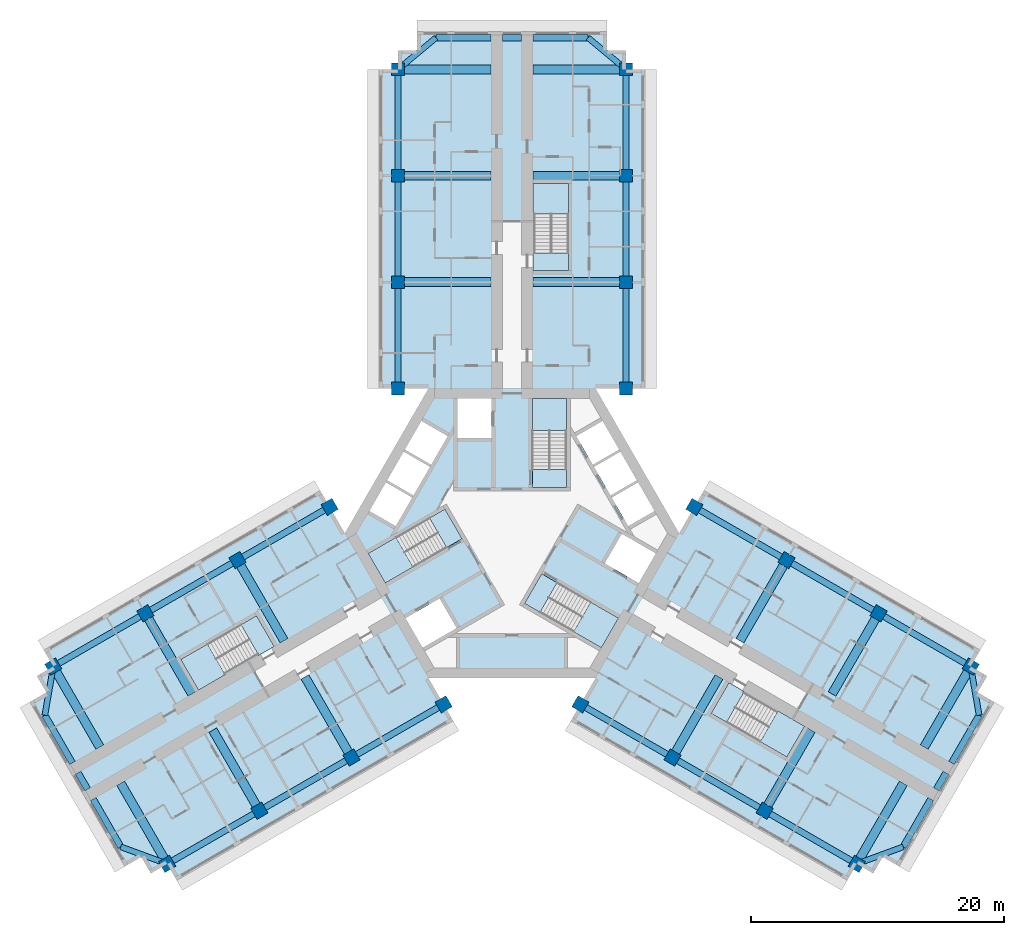
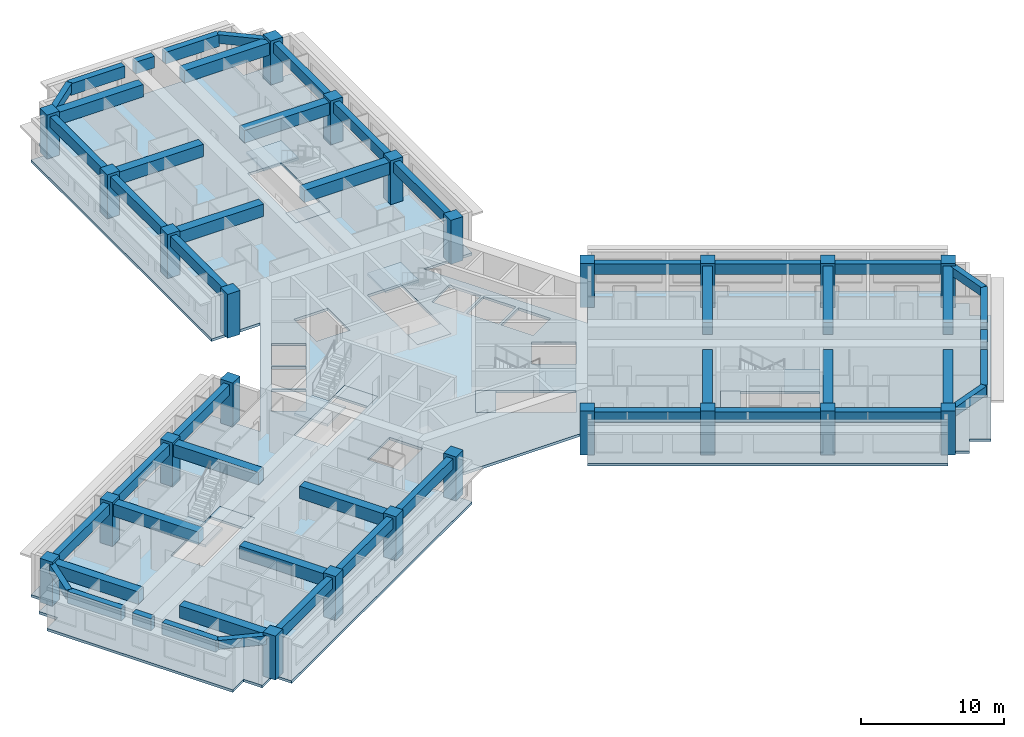
# One storey, part 1 of 12: 51 beams, 24 columns, 13 slabs, 6 elements without a shape of their own.
"""IFC4 building model written with IfcOpenShell, lengths in metres."""

from ifc_helpers import new_model, si_unit, direction, frame, origin, origin_2d, place, context, subcontext, project, spatial, polyline, rectangle, outline, extrude, material, layer, layer_set, material_profile, profile_set, type_object, element, aggregate, save


model = new_model("IFC4")

# Units and contexts
model_context = context("Model", 3, precision=1e-05, world=origin(), true_north=direction((0.0, 1.0)))
body_context = subcontext(model_context, "Body", "Model", "MODEL_VIEW")
ifc_project = project(units=[si_unit("LENGTHUNIT", "METRE"), si_unit("AREAUNIT", "SQUARE_METRE"), si_unit("VOLUMEUNIT", "CUBIC_METRE"), si_unit("PLANEANGLEUNIT", "RADIAN"), si_unit("MASSUNIT", "GRAM", prefix="KILO")], contexts=[model_context])

# Site, building, storey
site_placement = place(None, origin())
site = spatial("IfcSite", under=ifc_project, at=site_placement, CompositionType="ELEMENT")
building_placement = place(site_placement, origin())
building = spatial("IfcBuilding", under=site, at=building_placement, Name="Impinga Residences", CompositionType="ELEMENT")
storey_placement = place(building_placement, frame((0.0, 0.0, 166.0)))
storey = spatial("IfcBuildingStorey", under=building, at=storey_placement, Name="L41", CompositionType="ELEMENT", Elevation=166.0)

# Columns
ifc_material_1 = material(Name="Concrete C60/75", Category="concrete")
ifc_material_profile_1 = material_profile(ifc_material_1, rectangle(XDim=1.0, YDim=1.0, at=origin_2d()), Name="RC 1000x1000")
ifc_profile_set_1 = profile_set([ifc_material_profile_1], Name="Concrete C60/75")
column_type = type_object("IfcColumnType", Name="C3 1000x1000 column", PredefinedType="COLUMN", material=ifc_profile_set_1)
for number, where, z_axis, x_axis, name in (
    (1, (-9.0, 11.431640625, 0.0), (0.0, 0.0, 1.0), (1.0, 0.0, 0.0), "Column C3 N1/NA L41"),
    (2, (9.0, 11.431640625, 0.0), (0.0, 0.0, 1.0), (1.0, 0.0, 0.0), "Column C3 N1/NF L41"),
    (3, (-9.0, 19.83154296875, 0.0), (0.0, 0.0, 1.0), (1.0, 0.0, 0.0), "Column C3 N2/NA L41"),
    (4, (9.0, 19.83154296875, 0.0), (0.0, 0.0, 1.0), (1.0, 0.0, 0.0), "Column C3 N2/NF L41"),
    (5, (-9.0, 28.2314453125, 0.0), (0.0, 0.0, 1.0), (1.0, 0.0, 0.0), "Column C3 N3/NA L41"),
    (6, (9.0, 28.2314453125, 0.0), (0.0, 0.0, 1.0), (1.0, 0.0, 0.0), "Column C3 N3/NF L41"),
    (7, (-9.0, 36.631591796875, 0.0), (0.0, 0.0, 1.0), (1.0, 0.0, 0.0), "Column C3 N4/NA L41"),
    (8, (9.0, 36.631591796875, 0.0), (0.0, 0.0, 1.0), (1.0, 0.0, 0.0), "Column C3 N4/NF L41"),
    (9, (-5.39990234375, -13.510009765625, 0.0), (0.0, 0.0, 1.0), (-0.5, 0.866025403784, 0.0), "Column C3 W1/WA L41"),
    (10, (-14.39990234375, 2.078369140625, 0.0), (0.0, 0.0, 1.0), (-0.5, 0.866025403784, 0.0), "Column C3 W1/WF L41"),
    (11, (-12.674560546875, -17.7099609375, 0.0), (0.0, 0.0, 1.0), (-0.5, 0.866025403784, 0.0), "Column C3 W2/WA L41"),
    (12, (-21.674560546875, -2.12158203125, 0.0), (0.0, 0.0, 1.0), (-0.5, 0.866025403784, 0.0), "Column C3 W2/WF L41"),
    (13, (-19.94921875, -21.909912109375, 0.0), (0.0, 0.0, 1.0), (-0.5, 0.866025403784, 0.0), "Column C3 W3/WA L41"),
    (14, (-28.94921875, -6.321533203125, 0.0), (0.0, 0.0, 1.0), (-0.5, 0.866025403784, 0.0), "Column C3 W3/WF L41"),
    (15, (-27.223876953125, -26.110107421875, 0.0), (0.0, 0.0, 1.0), (-0.5, 0.866025403784, 0.0), "Column C3 W4/WA L41"),
    (16, (-36.223876953125, -10.521484375, 0.0), (0.0, 0.0, 1.0), (-0.5, 0.866025403784, 0.0), "Column C3 W4/WF L41"),
    (17, (14.39990234375, 2.078369140625, 0.0), (0.0, 0.0, 1.0), (-0.5, -0.866025403784, 0.0), "Column C3 E1/EA L41"),
    (18, (5.39990234375, -13.510009765625, 0.0), (0.0, 0.0, 1.0), (-0.5, -0.866025403784, 0.0), "Column C3 E1/EF L41"),
    (19, (21.674560546875, -2.12158203125, 0.0), (0.0, 0.0, 1.0), (-0.5, -0.866025403784, 0.0), "Column C3 E2/EA L41"),
    (20, (12.674560546875, -17.7099609375, 0.0), (0.0, 0.0, 1.0), (-0.5, -0.866025403784, 0.0), "Column C3 E2/EF L41"),
    (21, (28.94921875, -6.321533203125, 0.0), (0.0, 0.0, 1.0), (-0.5, -0.866025403784, 0.0), "Column C3 E3/EA L41"),
    (22, (19.94921875, -21.909912109375, 0.0), (0.0, 0.0, 1.0), (-0.5, -0.866025403784, 0.0), "Column C3 E3/EF L41"),
    (23, (36.223876953125, -10.521484375, 0.0), (0.0, 0.0, 1.0), (-0.5, -0.866025403784, 0.0), "Column C3 E4/EA L41"),
    (24, (27.223876953125, -26.110107421875, 0.0), (0.0, 0.0, 1.0), (-0.5, -0.866025403784, 0.0), "Column C3 E4/EF L41"),
):
    element("IfcColumn", number, at=place(storey_placement, frame(where, z_axis=z_axis, x_axis=x_axis)), inside=storey, type_object=column_type, Name=name, PredefinedType="COLUMN", context=body_context, shape_type="SweptSolid", body=[
        extrude(rectangle(XDim=1.0, YDim=1.0, at=origin_2d()), origin(), (0.0, 0.0, 1.0), 3.75),
    ])

# Beams
ifc_material_profile_2 = material_profile(ifc_material_1, rectangle(XDim=0.449951171875, YDim=0.75, at=origin_2d()), Name="RC 450x750")
ifc_profile_set_2 = profile_set([ifc_material_profile_2], Name="Concrete C60/75")
beam_type_1 = type_object("IfcBeamType", Name="CB1 450x750 wing end cantilever beam", PredefinedType="BEAM", material=ifc_profile_set_2)
for number, where, z_axis, x_axis, name in (
    (25, (-9.0, 36.631591796875, 3.155029296875), (0.768221279597, 0.640184399664, 0.0), (-0.640184399664, 0.768221279597, 0.0), "Beam CB1 NB N4-NX level L42"),
    (26, (9.0, 36.631591796875, 3.155029296875), (-0.768221279597, 0.640184399664, 0.0), (-0.640184399664, -0.768221279597, 0.0), "Beam CB1 NE N4-NX level L42"),
    (27, (-27.223876953125, -26.110107421875, 3.155029296875), (-0.938520178725, 0.345224382289, 0.0), (-0.345224382289, -0.938520178725, 0.0), "Beam CB1 WB W4-WX level L42"),
):
    element("IfcBeam", number, at=place(storey_placement, frame(where, z_axis=z_axis, x_axis=x_axis)), inside=storey, type_object=beam_type_1, Name=name, PredefinedType="BEAM", context=body_context, shape_type="SweptSolid", body=[
        extrude(rectangle(XDim=0.449951171875, YDim=0.75, at=origin_2d()), origin(), (0.0, 0.0, 1.0), 3.905029296875),
    ])
for number, where, z_axis, x_axis, name in (
    (28, (-36.223876953125, -10.521484375, 3.155029296875), (-0.170296298948, -0.985392901621, 0.0), (0.985392901621, -0.170296298948, 0.0), "Beam CB1 WE W4-WX level L42"),
    (29, (36.223876953125, -10.521484375, 3.155029296875), (0.170296298948, -0.985392901621, 0.0), (0.985392901621, 0.170296298948, 0.0), "Beam CB1 EB E4-EX level L42"),
):
    element("IfcBeam", number, at=place(storey_placement, frame(where, z_axis=z_axis, x_axis=x_axis)), inside=storey, type_object=beam_type_1, Name=name, PredefinedType="BEAM", context=body_context, shape_type="SweptSolid", body=[
        extrude(rectangle(XDim=0.449951171875, YDim=0.75, at=origin_2d()), origin(), (0.0, 0.0, 1.0), 3.9052734375),
    ])
beam_1_placement = place(storey_placement, frame((27.223876953125, -26.110107421875, 3.155029296875), z_axis=(0.938520178725, 0.345224382289, 0.0), x_axis=(-0.345224382289, 0.938520178725, 0.0)))
element("IfcBeam", 30, at=beam_1_placement, inside=storey, type_object=beam_type_1, Name="Beam CB1 EE E4-EX level L42", PredefinedType="BEAM", context=body_context, shape_type="SweptSolid", body=[
    extrude(rectangle(XDim=0.449951171875, YDim=0.75, at=origin_2d()), origin(), (0.0, 0.0, 1.0), 3.905029296875),
])
ifc_material_profile_3 = material_profile(ifc_material_1, rectangle(XDim=0.699951171875, YDim=1.050048828125, at=origin_2d()), Name="RC 700x1050")
ifc_profile_set_3 = profile_set([ifc_material_profile_3], Name="Concrete C60/75")
beam_type_2 = type_object("IfcBeamType", Name="CG1 700x1050 cross girder on a wing bay line", PredefinedType="BEAM", material=ifc_profile_set_3)
for number, where, z_axis, x_axis, name in (
    (31, (-1.64990234375, 19.83154296875, 3.0048828125), (-1.0, 0.0, 0.0), (0.0, -1.0, 0.0), "Beam CG1 N2 NC/NA level L42"),
    (32, (-1.64990234375, 28.2314453125, 3.0048828125), (-1.0, 0.0, 0.0), (0.0, -1.0, 0.0), "Beam CG1 N3 NC/NA level L42"),
    (33, (-1.64990234375, 36.631591796875, 3.0048828125), (-1.0, 0.0, 0.0), (0.0, -1.0, 0.0), "Beam CG1 N4 NC/NA level L42"),
    (34, (1.64990234375, 19.83154296875, 3.0048828125), (1.0, 0.0, 0.0), (0.0, 1.0, 0.0), "Beam CG1 N2 NC/NF level L42"),
    (35, (1.64990234375, 28.2314453125, 3.0048828125), (1.0, 0.0, 0.0), (0.0, 1.0, 0.0), "Beam CG1 N3 NC/NF level L42"),
    (36, (1.64990234375, 36.631591796875, 3.0048828125), (1.0, 0.0, 0.0), (0.0, 1.0, 0.0), "Beam CG1 N4 NC/NF level L42"),
    (37, (-16.349609375, -11.3447265625, 3.0048828125), (0.500008066151, -0.86602074674, 0.0), (0.86602074674, 0.500008066151, 0.0), "Beam CG1 W2 WC/WA level L42"),
    (38, (-23.624267578125, -15.544677734375, 3.0048828125), (0.500008066151, -0.86602074674, 0.0), (0.86602074674, 0.500008066151, 0.0), "Beam CG1 W3 WC/WA level L42"),
    (39, (-30.89892578125, -19.74462890625, 3.0048828125), (0.499993683172, -0.866029050776, 0.0), (0.866029050776, 0.499993683172, 0.0), "Beam CG1 W4 WC/WA level L42"),
    (40, (-17.99951171875, -8.48681640625, 3.0048828125), (-0.500008066151, 0.86602074674, 0.0), (-0.86602074674, -0.500008066151, 0.0), "Beam CG1 W2 WC/WF level L42"),
    (41, (-25.274169921875, -12.686767578125, 3.0048828125), (-0.500008066151, 0.86602074674, 0.0), (-0.86602074674, -0.500008066151, 0.0), "Beam CG1 W3 WC/WF level L42"),
    (42, (-32.548828125, -16.88671875, 3.0048828125), (-0.500008066151, 0.86602074674, 0.0), (-0.86602074674, -0.500008066151, 0.0), "Beam CG1 W4 WC/WF level L42"),
    (43, (17.99951171875, -8.48681640625, 3.0048828125), (0.500008066151, 0.86602074674, 0.0), (-0.86602074674, 0.500008066151, 0.0), "Beam CG1 E2 EC/EA level L42"),
    (44, (25.274169921875, -12.686767578125, 3.0048828125), (0.500008066151, 0.86602074674, 0.0), (-0.86602074674, 0.500008066151, 0.0), "Beam CG1 E3 EC/EA level L42"),
    (45, (32.548828125, -16.88671875, 3.0048828125), (0.500008066151, 0.86602074674, 0.0), (-0.86602074674, 0.500008066151, 0.0), "Beam CG1 E4 EC/EA level L42"),
    (46, (16.349609375, -11.3447265625, 3.0048828125), (-0.500008066151, -0.86602074674, 0.0), (0.86602074674, -0.500008066151, 0.0), "Beam CG1 E2 EC/EF level L42"),
    (47, (23.624267578125, -15.544677734375, 3.0048828125), (-0.500008066151, -0.86602074674, 0.0), (0.86602074674, -0.500008066151, 0.0), "Beam CG1 E3 EC/EF level L42"),
    (48, (30.89892578125, -19.74462890625, 3.0048828125), (-0.499993683172, -0.866029050776, 0.0), (0.866029050776, -0.499993683172, 0.0), "Beam CG1 E4 EC/EF level L42"),
):
    element("IfcBeam", number, at=place(storey_placement, frame(where, z_axis=z_axis, x_axis=x_axis)), inside=storey, type_object=beam_type_2, Name=name, PredefinedType="BEAM", context=body_context, shape_type="SweptSolid", body=[
        extrude(rectangle(XDim=0.699951171875, YDim=1.050048828125, at=origin_2d()), origin(), (0.0, 0.0, 1.0), 7.35009765625),
    ])
ifc_material_profile_4 = material_profile(ifc_material_1, rectangle(XDim=0.5, YDim=1.0, at=origin_2d()), Name="RC 500x1000")
ifc_profile_set_4 = profile_set([ifc_material_profile_4], Name="Concrete C60/75")
beam_type_3 = type_object("IfcBeamType", Name="EB1 500x1000 wing end beam", PredefinedType="BEAM", material=ifc_profile_set_4)
beam_2_placement = place(storey_placement, frame((-6.0, 39.131591796875, 3.030029296875), z_axis=(1.0, 0.0, 0.0), x_axis=(0.0, 1.0, 0.0)))
element("IfcBeam", 49, at=beam_2_placement, inside=storey, type_object=beam_type_3, Name="Beam EB1 NX3 level L42", PredefinedType="BEAM", context=body_context, shape_type="SweptSolid", body=[
    extrude(rectangle(XDim=0.5, YDim=1.0, at=origin_2d()), origin(), (0.0, 0.0, 1.0), 4.35009765625),
])
beam_3_placement = place(storey_placement, frame((-0.75, 39.131591796875, 3.030029296875), z_axis=(1.0, 0.0, 0.0), x_axis=(0.0, 1.0, 0.0)))
element("IfcBeam", 50, at=beam_3_placement, inside=storey, type_object=beam_type_3, Name="Beam EB1 NX3 level L42", PredefinedType="BEAM", context=body_context, shape_type="SweptSolid", body=[
    extrude(rectangle(XDim=0.5, YDim=1.0, at=origin_2d()), origin(), (0.0, 0.0, 1.0), 1.5),
])
for number, where, z_axis, x_axis, name in (
    (51, (1.64990234375, 39.131591796875, 3.030029296875), (1.0, 0.0, 0.0), (0.0, 1.0, 0.0), "Beam EB1 NX3 level L42"),
    (52, (-30.888916015625, -24.761962890625, 3.030029296875), (-0.499996127374, 0.866027639635, 0.0), (-0.866027639635, -0.499996127374, 0.0), "Beam EB1 WX3 level L42"),
):
    element("IfcBeam", number, at=place(storey_placement, frame(where, z_axis=z_axis, x_axis=x_axis)), inside=storey, type_object=beam_type_3, Name=name, PredefinedType="BEAM", context=body_context, shape_type="SweptSolid", body=[
        extrude(rectangle(XDim=0.5, YDim=1.0, at=origin_2d()), origin(), (0.0, 0.0, 1.0), 4.35009765625),
    ])
beam_4_placement = place(storey_placement, frame((-33.513916015625, -20.21533203125, 3.030029296875), z_axis=(-0.499990139034, 0.866031096941, 0.0), x_axis=(-0.866031096941, -0.499990139034, 0.0)))
element("IfcBeam", 53, at=beam_4_placement, inside=storey, type_object=beam_type_3, Name="Beam EB1 WX3 level L42", PredefinedType="BEAM", context=body_context, shape_type="SweptSolid", body=[
    extrude(rectangle(XDim=0.5, YDim=1.0, at=origin_2d()), origin(), (0.0, 0.0, 1.0), 1.5),
])
for number, where, z_axis, x_axis, name in (
    (54, (-34.7138671875, -18.13671875, 3.030029296875), (-0.500020430026, 0.866013608182, 0.0), (-0.866013608182, -0.500020430026, 0.0), "Beam EB1 WX3 level L42"),
    (55, (36.888916015625, -14.36962890625, 3.030029296875), (-0.500020430026, -0.866013608182, 0.0), (0.866013608182, -0.500020430026, 0.0), "Beam EB1 EX3 level L42"),
):
    element("IfcBeam", number, at=place(storey_placement, frame(where, z_axis=z_axis, x_axis=x_axis)), inside=storey, type_object=beam_type_3, Name=name, PredefinedType="BEAM", context=body_context, shape_type="SweptSolid", body=[
        extrude(rectangle(XDim=0.5, YDim=1.0, at=origin_2d()), origin(), (0.0, 0.0, 1.0), 4.349853515625),
    ])
beam_5_placement = place(storey_placement, frame((34.263916015625, -18.916259765625, 3.030029296875), z_axis=(-0.499990139034, -0.866031096941, 0.0), x_axis=(0.866031096941, -0.499990139034, 0.0)))
element("IfcBeam", 56, at=beam_5_placement, inside=storey, type_object=beam_type_3, Name="Beam EB1 EX3 level L42", PredefinedType="BEAM", context=body_context, shape_type="SweptSolid", body=[
    extrude(rectangle(XDim=0.5, YDim=1.0, at=origin_2d()), origin(), (0.0, 0.0, 1.0), 1.5),
])
beam_6_placement = place(storey_placement, frame((33.06396484375, -20.99462890625, 3.030029296875), z_axis=(-0.499996127374, -0.866027639635, 0.0), x_axis=(0.866027639635, -0.499996127374, 0.0)))
element("IfcBeam", 57, at=beam_6_placement, inside=storey, type_object=beam_type_3, Name="Beam EB1 EX3 level L42", PredefinedType="BEAM", context=body_context, shape_type="SweptSolid", body=[
    extrude(rectangle(XDim=0.5, YDim=1.0, at=origin_2d()), origin(), (0.0, 0.0, 1.0), 4.35009765625),
])
ifc_material_profile_5 = material_profile(ifc_material_1, rectangle(XDim=0.5, YDim=0.89990234375, at=origin_2d()), Name="RC 500x900")
ifc_profile_set_5 = profile_set([ifc_material_profile_5], Name="Concrete C60/75")
beam_type_4 = type_object("IfcBeamType", Name="SB1 500x900 perimeter spandrel beam", PredefinedType="SPANDREL", material=ifc_profile_set_5)
for number, where, z_axis, x_axis, name in (
    (58, (-9.0, 11.431640625, 3.080078125), (0.0, 1.0, 0.0), (-1.0, 0.0, 0.0), "Beam SB1 NA N1-N2 level L42"),
    (59, (-9.0, 19.83154296875, 3.080078125), (0.0, 1.0, 0.0), (-1.0, 0.0, 0.0), "Beam SB1 NA N2-N3 level L42"),
):
    element("IfcBeam", number, at=place(storey_placement, frame(where, z_axis=z_axis, x_axis=x_axis)), inside=storey, type_object=beam_type_4, Name=name, PredefinedType="SPANDREL", context=body_context, shape_type="SweptSolid", body=[
        extrude(rectangle(XDim=0.5, YDim=0.89990234375, at=origin_2d()), origin(), (0.0, 0.0, 1.0), 8.39990234375),
    ])
beam_7_placement = place(storey_placement, frame((-9.0, 28.2314453125, 3.080078125), z_axis=(0.0, 1.0, 0.0), x_axis=(-1.0, 0.0, 0.0)))
element("IfcBeam", 60, at=beam_7_placement, inside=storey, type_object=beam_type_4, Name="Beam SB1 NA N3-N4 level L42", PredefinedType="SPANDREL", context=body_context, shape_type="SweptSolid", body=[
    extrude(rectangle(XDim=0.5, YDim=0.89990234375, at=origin_2d()), origin(), (0.0, 0.0, 1.0), 8.400146484375),
])
for number, where, z_axis, x_axis, name in (
    (61, (9.0, 11.431640625, 3.080078125), (0.0, 1.0, 0.0), (-1.0, 0.0, 0.0), "Beam SB1 NF N1-N2 level L42"),
    (62, (9.0, 19.83154296875, 3.080078125), (0.0, 1.0, 0.0), (-1.0, 0.0, 0.0), "Beam SB1 NF N2-N3 level L42"),
):
    element("IfcBeam", number, at=place(storey_placement, frame(where, z_axis=z_axis, x_axis=x_axis)), inside=storey, type_object=beam_type_4, Name=name, PredefinedType="SPANDREL", context=body_context, shape_type="SweptSolid", body=[
        extrude(rectangle(XDim=0.5, YDim=0.89990234375, at=origin_2d()), origin(), (0.0, 0.0, 1.0), 8.39990234375),
    ])
beam_8_placement = place(storey_placement, frame((9.0, 28.2314453125, 3.080078125), z_axis=(0.0, 1.0, 0.0), x_axis=(-1.0, 0.0, 0.0)))
element("IfcBeam", 63, at=beam_8_placement, inside=storey, type_object=beam_type_4, Name="Beam SB1 NF N3-N4 level L42", PredefinedType="SPANDREL", context=body_context, shape_type="SweptSolid", body=[
    extrude(rectangle(XDim=0.5, YDim=0.89990234375, at=origin_2d()), origin(), (0.0, 0.0, 1.0), 8.400146484375),
])
for number, where, z_axis, x_axis, name in (
    (64, (-5.39990234375, -13.510009765625, 3.080078125), (-0.86602925447, -0.499993330357, 0.0), (0.499993330357, -0.86602925447, 0.0), "Beam SB1 WA W1-W2 level L42"),
    (65, (-12.674560546875, -17.7099609375, 3.080078125), (-0.86602925447, -0.499993330357, 0.0), (0.499993330357, -0.86602925447, 0.0), "Beam SB1 WA W2-W3 level L42"),
):
    element("IfcBeam", number, at=place(storey_placement, frame(where, z_axis=z_axis, x_axis=x_axis)), inside=storey, type_object=beam_type_4, Name=name, PredefinedType="SPANDREL", context=body_context, shape_type="SweptSolid", body=[
        extrude(rectangle(XDim=0.5, YDim=0.89990234375, at=origin_2d()), origin(), (0.0, 0.0, 1.0), 8.39990234375),
    ])
beam_9_placement = place(storey_placement, frame((-19.94921875, -21.909912109375, 3.080078125), z_axis=(-0.866016669275, -0.500015128309, 0.0), x_axis=(0.500015128309, -0.866016669275, 0.0)))
element("IfcBeam", 66, at=beam_9_placement, inside=storey, type_object=beam_type_4, Name="Beam SB1 WA W3-W4 level L42", PredefinedType="SPANDREL", context=body_context, shape_type="SweptSolid", body=[
    extrude(rectangle(XDim=0.5, YDim=0.89990234375, at=origin_2d()), origin(), (0.0, 0.0, 1.0), 8.400146484375),
])
for number, where, z_axis, x_axis, name in (
    (67, (-14.39990234375, 2.078369140625, 3.080078125), (-0.86602925447, -0.499993330357, 0.0), (0.499993330357, -0.86602925447, 0.0), "Beam SB1 WF W1-W2 level L42"),
    (68, (-21.674560546875, -2.12158203125, 3.080078125), (-0.86602925447, -0.499993330357, 0.0), (0.499993330357, -0.86602925447, 0.0), "Beam SB1 WF W2-W3 level L42"),
    (69, (-28.94921875, -6.321533203125, 3.080078125), (-0.86602925447, -0.499993330357, 0.0), (0.499993330357, -0.86602925447, 0.0), "Beam SB1 WF W3-W4 level L42"),
    (70, (14.39990234375, 2.078369140625, 3.080078125), (0.86602925447, -0.499993330357, 0.0), (0.499993330357, 0.86602925447, 0.0), "Beam SB1 EA E1-E2 level L42"),
    (71, (21.674560546875, -2.12158203125, 3.080078125), (0.86602925447, -0.499993330357, 0.0), (0.499993330357, 0.86602925447, 0.0), "Beam SB1 EA E2-E3 level L42"),
    (72, (28.94921875, -6.321533203125, 3.080078125), (0.86602925447, -0.499993330357, 0.0), (0.499993330357, 0.86602925447, 0.0), "Beam SB1 EA E3-E4 level L42"),
    (73, (5.39990234375, -13.510009765625, 3.080078125), (0.86602925447, -0.499993330357, 0.0), (0.499993330357, 0.86602925447, 0.0), "Beam SB1 EF E1-E2 level L42"),
    (74, (12.674560546875, -17.7099609375, 3.080078125), (0.86602925447, -0.499993330357, 0.0), (0.499993330357, 0.86602925447, 0.0), "Beam SB1 EF E2-E3 level L42"),
):
    element("IfcBeam", number, at=place(storey_placement, frame(where, z_axis=z_axis, x_axis=x_axis)), inside=storey, type_object=beam_type_4, Name=name, PredefinedType="SPANDREL", context=body_context, shape_type="SweptSolid", body=[
        extrude(rectangle(XDim=0.5, YDim=0.89990234375, at=origin_2d()), origin(), (0.0, 0.0, 1.0), 8.39990234375),
    ])
beam_10_placement = place(storey_placement, frame((19.94921875, -21.909912109375, 3.080078125), z_axis=(0.866016669275, -0.500015128309, 0.0), x_axis=(0.500015128309, 0.866016669275, 0.0)))
element("IfcBeam", 75, at=beam_10_placement, inside=storey, type_object=beam_type_4, Name="Beam SB1 EF E3-E4 level L42", PredefinedType="SPANDREL", context=body_context, shape_type="SweptSolid", body=[
    extrude(rectangle(XDim=0.5, YDim=0.89990234375, at=origin_2d()), origin(), (0.0, 0.0, 1.0), 8.400146484375),
])

# Slab
ifc_layer_1 = layer(ifc_material_1, 0.219970703125)
ifc_layer_set_1 = layer_set([ifc_layer_1], Name="Concrete C60/75")
slab_type_1 = type_object("IfcSlabType", Name="FS1 tower floor slab 220", PredefinedType="FLOOR", material=ifc_layer_set_1)
slab_1_placement = place(storey_placement, frame((0.0, 0.0, -0.219970703125)))
element("IfcSlab", 76, at=slab_1_placement, inside=storey, type_object=slab_type_1, Name="Floor slab FS1 L41", PredefinedType="FLOOR", context=body_context, shape_type="SweptSolid", body=[
    extrude(outline(polyline([(-27.223876953125, -26.110107421875), (-28.52294921875, -26.860107421875), (-29.27294921875, -25.56103515625), (-30.572021484375, -26.31103515625), (-38.072021484375, -13.320556640625), (-36.77294921875, -12.570556640625), (-37.52294921875, -11.271484375), (-36.223876953125, -10.521484375), (-36.973876953125, -9.222412109375), (-15.14990234375, 3.37744140625), (-13.199951171875, 0.0), (-6.60009765625, 11.431640625), (-10.5, 11.431640625), (-10.5, 36.631591796875), (-9.0, 36.631591796875), (-9.0, 38.131591796875), (-7.5, 38.131591796875), (-7.5, 39.631591796875), (7.5, 39.631591796875), (7.5, 38.131591796875), (9.0, 38.131591796875), (9.0, 36.631591796875), (10.5, 36.631591796875), (10.5, 11.431640625), (6.60009765625, 11.431640625), (13.199951171875, 0.0), (15.14990234375, 3.37744140625), (36.973876953125, -9.222412109375), (36.223876953125, -10.521484375), (37.52294921875, -11.271484375), (36.77294921875, -12.570556640625), (38.072021484375, -13.320556640625), (30.572021484375, -26.31103515625), (29.27294921875, -25.56103515625), (28.52294921875, -26.860107421875), (27.223876953125, -26.110107421875), (26.473876953125, -27.408935546875), (4.64990234375, -14.80908203125), (9.900146484375, -5.7158203125), (6.60009765625, -11.431640625), (-6.60009765625, -11.431640625), (-9.900146484375, -5.7158203125), (-4.64990234375, -14.80908203125), (-26.473876953125, -27.408935546875), (-27.223876953125, -26.110107421875)]), holes=[polyline([(-18.779052734375, -8.936767578125), (-18.8291015625, -8.850341796875), (-18.8291015625, -8.850341796875), (-20.178955078125, -6.511962890625), (-21.391357421875, -7.2119140625), (-21.391357421875, -7.2119140625), (-26.154541015625, -9.9619140625), (-24.8046875, -12.30029296875), (-20.04150390625, -9.55029296875), (-19.991455078125, -9.63671875), (-18.779052734375, -8.936767578125)]), polyline([(-4.37109375, -7.489013671875), (-5.72119140625, -5.150634765625), (-8.4072265625, -6.701416015625), (-7.05712890625, -9.039794921875), (-4.37109375, -7.489013671875)]), polyline([(-3.943603515625, -0.429443359375), (-5.293701171875, 1.908935546875), (-11.357177734375, -1.591796875), (-10.007080078125, -3.93017578125), (-3.943603515625, -0.429443359375)]), polyline([(-7.878662109375, 2.816650390625), (-9.957275390625, 4.016845703125), (-11.257080078125, 1.76513671875), (-9.1787109375, 0.56494140625), (-7.878662109375, 2.816650390625)]), polyline([(-6.478759765625, 5.24169921875), (-8.55712890625, 6.441650390625), (-9.857177734375, 4.18994140625), (-7.77880859375, 2.989990234375), (-6.478759765625, 5.24169921875)]), polyline([(4.300048828125, 3.6298828125), (4.300048828125, 10.631591796875), (1.60009765625, 10.631591796875), (1.60009765625, 3.6298828125), (4.300048828125, 3.6298828125)]), polyline([(-6.378662109375, 5.414794921875), (-5.07861328125, 7.66650390625), (-7.1572265625, 8.866455078125), (-8.457275390625, 6.61474609375), (-6.378662109375, 5.414794921875)]), polyline([(-4.300048828125, 7.530029296875), (-1.60009765625, 7.530029296875), (-1.60009765625, 10.631591796875), (-4.300048828125, 10.631591796875), (-4.300048828125, 7.530029296875)]), polyline([(4.449951171875, 20.7314453125), (4.449951171875, 22.131591796875), (4.449951171875, 27.631591796875), (1.75, 27.631591796875), (1.75, 22.131591796875), (1.64990234375, 22.131591796875), (1.64990234375, 20.7314453125), (1.75, 20.7314453125), (4.449951171875, 20.7314453125)]), polyline([(15.72900390625, -14.219482421875), (21.70458984375, -17.669677734375), (23.0546875, -15.331298828125), (18.29150390625, -12.581298828125), (18.341552734375, -12.49462890625), (17.129150390625, -11.794677734375), (15.72900390625, -14.219482421875)]), polyline([(2.34375, -3.20068359375), (0.99365234375, -5.538818359375), (7.05712890625, -9.039794921875), (8.4072265625, -6.701416015625), (2.34375, -3.20068359375)]), polyline([(7.3212890625, -2.37939453125), (10.007080078125, -3.93017578125), (11.357177734375, -1.591796875), (8.671142578125, -0.041015625), (7.3212890625, -2.37939453125)]), polyline([(7.878662109375, 2.816650390625), (9.1787109375, 0.56494140625), (11.257080078125, 1.76513671875), (9.957275390625, 4.016845703125), (7.878662109375, 2.816650390625)]), polyline([(6.478759765625, 5.24169921875), (7.77880859375, 2.989990234375), (9.857177734375, 4.18994140625), (8.55712890625, 6.441650390625), (6.478759765625, 5.24169921875)]), polyline([(6.378662109375, 5.414794921875), (8.457275390625, 6.61474609375), (7.1572265625, 8.866455078125), (5.07861328125, 7.66650390625), (6.378662109375, 5.414794921875)])]), origin(), (0.0, 0.0, 1.0), 0.219970703125),
])

# Stair, slabs
ifc_material_2 = material(Name="Concrete C40/50", Category="concrete")
stair_type_1 = type_object("IfcStairType", Name="STR core stair 3750 storey, 24 risers", PredefinedType="HALF_TURN_STAIR", material=ifc_material_2)
stair_1_placement = place(storey_placement, origin())
stair_1 = element("IfcStair", 77, at=stair_1_placement, inside=storey, type_object=stair_type_1, Name="Stair ST1 L41", PredefinedType="HALF_TURN_STAIR")
ifc_layer_2 = layer(ifc_material_2, 0.199951171875)
ifc_layer_set_2 = layer_set([ifc_layer_2], Name="Concrete C40/50")
slab_type_2 = type_object("IfcSlabType", Name="LS1 stair landing 200", PredefinedType="LANDING", material=ifc_layer_set_2)
slab_2_placement = place(storey_placement, frame((0.0, 0.0, -0.199951171875)))
slab_2 = element("IfcSlab", 78, at=slab_2_placement, type_object=slab_type_2, Name="ST1 landing 1", PredefinedType="LANDING", context=body_context, shape_type="SweptSolid", body=[
    extrude(outline(polyline([(1.60009765625, 3.6298828125), (4.300048828125, 3.6298828125), (4.300048828125, 5.0400390625), (1.60009765625, 5.0400390625), (1.60009765625, 3.6298828125)])), origin(), (0.0, 0.0, 1.0), 0.199951171875),
])
slab_3_placement = place(storey_placement, frame((0.0, 0.0, 1.675048828125)))
slab_3 = element("IfcSlab", 79, at=slab_3_placement, type_object=slab_type_2, Name="ST1 landing 2", PredefinedType="LANDING", context=body_context, shape_type="SweptSolid", body=[
    extrude(outline(polyline([(1.60009765625, 8.10009765625), (4.300048828125, 8.10009765625), (4.300048828125, 10.631591796875), (1.60009765625, 10.631591796875), (1.60009765625, 8.10009765625)])), origin(), (0.0, 0.0, 1.0), 0.199951171875),
])
aggregate(stair_1, [slab_2, slab_3])

stair_2_placement = place(storey_placement, origin())
stair_2 = element("IfcStair", 80, at=stair_2_placement, inside=storey, type_object=stair_type_1, Name="Stair ST2 L41", PredefinedType="HALF_TURN_STAIR")
slab_4_placement = place(storey_placement, frame((0.0, 0.0, -0.199951171875)))
slab_4 = element("IfcSlab", 81, at=slab_4_placement, type_object=slab_type_2, Name="ST2 landing 1", PredefinedType="LANDING", context=body_context, shape_type="SweptSolid", body=[
    extrude(outline(polyline([(-3.943603515625, -0.429443359375), (-5.293701171875, 1.908935546875), (-6.5146484375, 1.203857421875), (-5.164794921875, -1.13427734375), (-3.943603515625, -0.429443359375)])), origin(), (0.0, 0.0, 1.0), 0.199951171875),
])
slab_5_placement = place(storey_placement, frame((0.0, 0.0, 1.675048828125)))
slab_5 = element("IfcSlab", 82, at=slab_5_placement, type_object=slab_type_2, Name="ST2 landing 2", PredefinedType="LANDING", context=body_context, shape_type="SweptSolid", body=[
    extrude(outline(polyline([(-7.814697265625, -2.664306640625), (-9.164794921875, -0.326171875), (-11.357177734375, -1.591796875), (-10.007080078125, -3.93017578125), (-7.814697265625, -2.664306640625)])), origin(), (0.0, 0.0, 1.0), 0.199951171875),
])
aggregate(stair_2, [slab_4, slab_5])

stair_3_placement = place(storey_placement, origin())
stair_3 = element("IfcStair", 83, at=stair_3_placement, inside=storey, type_object=stair_type_1, Name="Stair ST3 L41", PredefinedType="HALF_TURN_STAIR")
slab_6_placement = place(storey_placement, frame((0.0, 0.0, -0.199951171875)))
slab_6 = element("IfcSlab", 84, at=slab_6_placement, type_object=slab_type_2, Name="ST3 landing 1", PredefinedType="LANDING", context=body_context, shape_type="SweptSolid", body=[
    extrude(outline(polyline([(2.34375, -3.20068359375), (0.99365234375, -5.538818359375), (2.21484375, -6.243896484375), (3.564697265625, -3.90576171875), (2.34375, -3.20068359375)])), origin(), (0.0, 0.0, 1.0), 0.199951171875),
])
slab_7_placement = place(storey_placement, frame((0.0, 0.0, 1.675048828125)))
slab_7 = element("IfcSlab", 85, at=slab_7_placement, type_object=slab_type_2, Name="ST3 landing 2", PredefinedType="LANDING", context=body_context, shape_type="SweptSolid", body=[
    extrude(outline(polyline([(6.21484375, -5.435546875), (4.86474609375, -7.77392578125), (7.05712890625, -9.039794921875), (8.4072265625, -6.701416015625), (6.21484375, -5.435546875)])), origin(), (0.0, 0.0, 1.0), 0.199951171875),
])
aggregate(stair_3, [slab_6, slab_7])

stair_type_2 = type_object("IfcStairType", Name="STR wing stair 3750 storey, 24 risers", PredefinedType="HALF_TURN_STAIR", material=ifc_material_2)
stair_4_placement = place(storey_placement, origin())
stair_4 = element("IfcStair", 86, at=stair_4_placement, inside=storey, type_object=stair_type_2, Name="Stair WS1 L41", PredefinedType="HALF_TURN_STAIR")
slab_8_placement = place(storey_placement, frame((0.0, 0.0, -0.199951171875)))
slab_8 = element("IfcSlab", 87, at=slab_8_placement, type_object=slab_type_2, Name="WS1 landing 1", PredefinedType="LANDING", context=body_context, shape_type="SweptSolid", body=[
    extrude(outline(polyline([(1.64990234375, 20.7314453125), (4.449951171875, 20.7314453125), (4.449951171875, 22.1416015625), (1.64990234375, 22.1416015625), (1.64990234375, 20.7314453125)])), origin(), (0.0, 0.0, 1.0), 0.199951171875),
])
slab_9_placement = place(storey_placement, frame((0.0, 0.0, 1.675048828125)))
slab_9 = element("IfcSlab", 88, at=slab_9_placement, type_object=slab_type_2, Name="WS1 landing 2", PredefinedType="LANDING", context=body_context, shape_type="SweptSolid", body=[
    extrude(outline(polyline([(1.64990234375, 25.201416015625), (4.449951171875, 25.201416015625), (4.449951171875, 27.631591796875), (1.64990234375, 27.631591796875), (1.64990234375, 25.201416015625)])), origin(), (0.0, 0.0, 1.0), 0.199951171875),
])
aggregate(stair_4, [slab_8, slab_9])

stair_5_placement = place(storey_placement, origin())
stair_5 = element("IfcStair", 89, at=stair_5_placement, inside=storey, type_object=stair_type_2, Name="Stair WS2 L41", PredefinedType="HALF_TURN_STAIR")
slab_10_placement = place(storey_placement, frame((0.0, 0.0, -0.199951171875)))
slab_10 = element("IfcSlab", 90, at=slab_10_placement, type_object=slab_type_2, Name="WS2 landing 1", PredefinedType="LANDING", context=body_context, shape_type="SweptSolid", body=[
    extrude(outline(polyline([(-18.779052734375, -8.936767578125), (-20.178955078125, -6.511962890625), (-21.400146484375, -7.217041015625), (-20.000244140625, -9.641845703125), (-18.779052734375, -8.936767578125)])), origin(), (0.0, 0.0, 1.0), 0.199951171875),
])
slab_11_placement = place(storey_placement, frame((0.0, 0.0, 1.675048828125)))
slab_11 = element("IfcSlab", 91, at=slab_11_placement, type_object=slab_type_2, Name="WS2 landing 2", PredefinedType="LANDING", context=body_context, shape_type="SweptSolid", body=[
    extrude(outline(polyline([(-22.650146484375, -11.171875), (-24.050048828125, -8.7470703125), (-26.154541015625, -9.9619140625), (-24.754638671875, -12.38671875), (-22.650146484375, -11.171875)])), origin(), (0.0, 0.0, 1.0), 0.199951171875),
])
aggregate(stair_5, [slab_10, slab_11])

stair_6_placement = place(storey_placement, origin())
stair_6 = element("IfcStair", 92, at=stair_6_placement, inside=storey, type_object=stair_type_2, Name="Stair WS3 L41", PredefinedType="HALF_TURN_STAIR")
slab_12_placement = place(storey_placement, frame((0.0, 0.0, -0.199951171875)))
slab_12 = element("IfcSlab", 93, at=slab_12_placement, type_object=slab_type_2, Name="WS3 landing 1", PredefinedType="LANDING", context=body_context, shape_type="SweptSolid", body=[
    extrude(outline(polyline([(17.129150390625, -11.794677734375), (15.72900390625, -14.219482421875), (16.9501953125, -14.924560546875), (18.35009765625, -12.499755859375), (17.129150390625, -11.794677734375)])), origin(), (0.0, 0.0, 1.0), 0.199951171875),
])
slab_13_placement = place(storey_placement, frame((0.0, 0.0, 1.675048828125)))
slab_13 = element("IfcSlab", 94, at=slab_13_placement, type_object=slab_type_2, Name="WS3 landing 2", PredefinedType="LANDING", context=body_context, shape_type="SweptSolid", body=[
    extrude(outline(polyline([(21.000244140625, -14.02978515625), (19.60009765625, -16.45458984375), (21.70458984375, -17.669677734375), (23.1044921875, -15.24462890625), (21.000244140625, -14.02978515625)])), origin(), (0.0, 0.0, 1.0), 0.199951171875),
])
aggregate(stair_6, [slab_12, slab_13])

save(model, "model.ifc")
